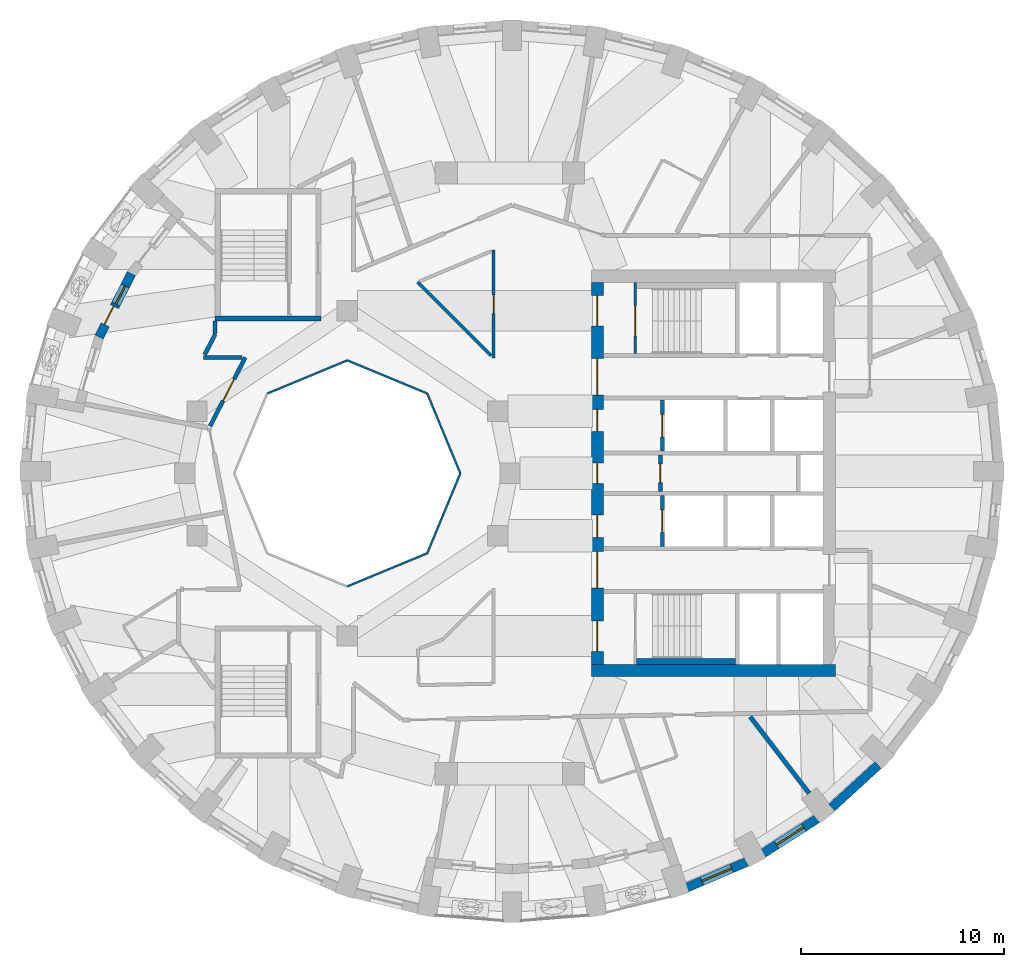
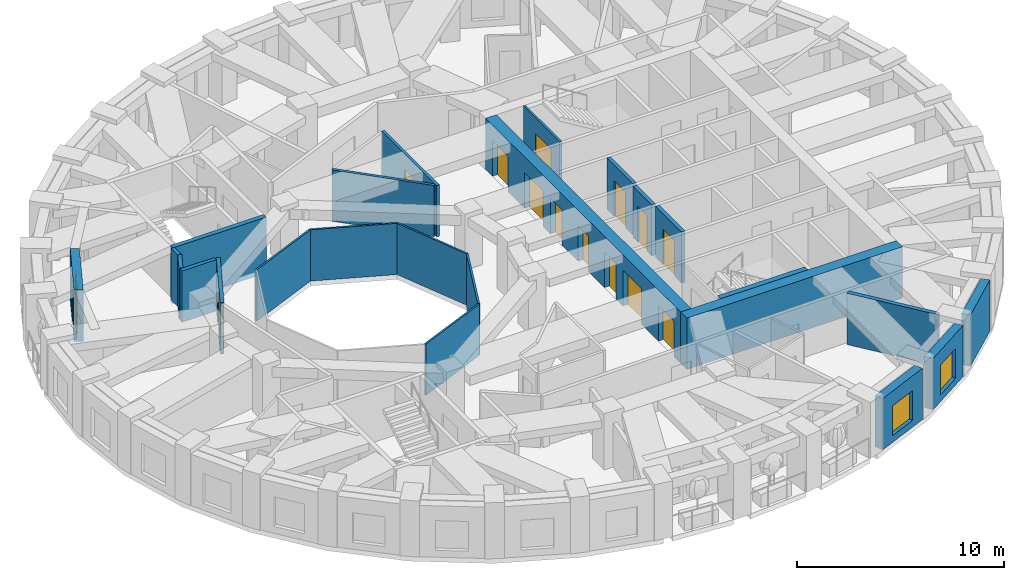
# One storey, part 5 of 11: 24 walls, 14 doors, 3 windows, 17 openings.
"""IFC4 building model written with IfcOpenShell, lengths in metres."""

from ifc_helpers import new_model, si_unit, direction, frame, frame_2d, origin, place, context, subcontext, project, spatial, rectangle, extrude, material, layer, layer_set, type_object, element, fill, save


model = new_model("IFC4")

# Units and contexts
model_context = context("Model", 3, precision=1e-05, world=origin(), true_north=direction((0.0, 1.0)))
body_context = subcontext(model_context, "Body", "Model", "MODEL_VIEW")
ifc_project = project(units=[si_unit("LENGTHUNIT", "METRE"), si_unit("AREAUNIT", "SQUARE_METRE"), si_unit("VOLUMEUNIT", "CUBIC_METRE"), si_unit("PLANEANGLEUNIT", "RADIAN"), si_unit("MASSUNIT", "GRAM", prefix="KILO")], contexts=[model_context])

# Site, building, storey
site_placement = place(None, origin())
site = spatial("IfcSite", under=ifc_project, at=site_placement, CompositionType="ELEMENT")
building_placement = place(site_placement, origin())
building = spatial("IfcBuilding", under=site, at=building_placement, Name="Taillehof Tower", CompositionType="ELEMENT")
storey_placement = place(building_placement, frame((0.0, 0.0, 161.60009765625)))
storey = spatial("IfcBuildingStorey", under=building, at=storey_placement, Name="L45", CompositionType="ELEMENT", Elevation=161.60009765625)

# Walls
ifc_material_1 = material(Name="Fire-resisting glass in steel frame", Category="steel")
ifc_layer_1 = layer(ifc_material_1, 0.10009765625)
ifc_layer_set_1 = layer_set([ifc_layer_1], Name="Atrium fire-resisting screen EI 60 100")
wall_type_1 = type_object("IfcWallType", Name="Atrium fire-resisting screen EI 60 100", PredefinedType="PARTITIONING", material=ifc_layer_set_1)
for number, where, z_axis, x_axis, name in (
    (1, (-2.44580078125, 0.0, 0.0), (0.0, 0.0, 1.0), (-0.382730523909, -0.923860025149, 0.0), "Atrium screen"),
    (2, (-4.07275390625, -3.92724609375, 0.0), (0.0, 0.0, 1.0), (-0.923860025149, -0.382730523909, 0.0), "Atrium screen"),
    (3, (-11.92724609375, 3.92724609375, 0.0), (0.0, 0.0, 1.0), (0.923860025149, 0.382730523909, 0.0), "Atrium screen"),
    (4, (-8.0, 5.55419921875, 0.0), (0.0, 0.0, 1.0), (0.923860025149, -0.382730523909, 0.0), "Atrium screen"),
    (5, (-4.07275390625, 3.92724609375, 0.0), (0.0, 0.0, 1.0), (0.382730523909, -0.923860025149, 0.0), "Atrium screen"),
):
    element("IfcWall", number, at=place(storey_placement, frame(where, z_axis=z_axis, x_axis=x_axis)), inside=storey, type_object=wall_type_1, Name=name, PredefinedType="PARTITIONING", context=body_context, shape_type="SweptSolid", body=[
        extrude(rectangle(XDim=4.2509765625, YDim=0.10009765625, at=frame_2d((2.12548828125, 0.0))), origin(), (0.0, 0.0, 1.0), 3.02001953125),
    ])

# Wall, opening, window
ifc_material_2 = material(Name="Brick masonry", Category="masonry")
ifc_layer_2 = layer(ifc_material_2, 0.449951171875)
ifc_layer_set_2 = layer_set([ifc_layer_2], Name="Brick infill wall 450")
wall_type_2 = type_object("IfcWallType", Name="Brick infill wall 450", PredefinedType="SOLIDWALL", material=ifc_layer_set_2)
wall_1_placement = place(storey_placement, frame((8.706298828125, -20.37451171875, 0.0), z_axis=(0.0, 0.0, 1.0), x_axis=(0.91981046949, 0.392362969986, 0.0)))
wall_1 = element("IfcWall", 6, at=wall_1_placement, inside=storey, type_object=wall_type_2, Name="Brick wall L45 bay 30", PredefinedType="SOLIDWALL", context=body_context, shape_type="SweptSolid", body=[
    extrude(rectangle(XDim=3.20068359375, YDim=0.449951171875, at=frame_2d((1.600341796875, 0.0))), origin(), (0.0, 0.0, 1.0), 3.02001953125),
])
opening_1_placement = place(wall_1_placement, frame((0.80029296875, 0.0, 0.39990234375)))
opening_1 = element("IfcOpeningElement", 7, at=opening_1_placement, cuts=wall_1, Name="Opening W3", PredefinedType="OPENING", context=body_context, shape_type="SweptSolid", body=[
    extrude(rectangle(XDim=1.60009765625, YDim=1.75, at=frame_2d((0.800048828125, 0.875))), frame((0.0, 0.23486328125, 0.0), z_axis=(0.0, -1.0, 0.0), x_axis=(1.0, 0.0, 0.0)), (0.0, 0.0, 1.0), 0.469970703125),
])
ifc_material_3 = material(Name="Aluminium window frame with clear double glazing", Category="aluminium")
window_type_1 = type_object("IfcWindowType", Name="Deep-set window 1600x1750", PartitioningType="SINGLE_PANEL", PredefinedType="WINDOW", material=ifc_material_3)
window_1_placement = place(opening_1_placement, origin())
window_1 = element("IfcWindow", 8, at=window_1_placement, inside=storey, type_object=window_type_1, Name="W3", OverallHeight=1.75, OverallWidth=1.60009765625, PartitioningType="SINGLE_PANEL", PredefinedType="WINDOW", context=body_context, shape_type="SweptSolid", body=[
    extrude(rectangle(XDim=1.60009765625, YDim=1.75, at=frame_2d((0.800048828125, 0.875))), frame((0.0, 0.034912109375, 0.0), z_axis=(0.0, -1.0, 0.0), x_axis=(1.0, 0.0, 0.0)), (0.0, 0.0, 1.0), 0.06005859375),
])
fill(opening_1, window_1)

wall_2_placement = place(storey_placement, frame((12.454833984375, -18.693115234375, 0.0), z_axis=(0.0, 0.0, 1.0), x_axis=(0.842065914439, 0.539374633943, 0.0)))
wall_2 = element("IfcWall", 9, at=wall_2_placement, inside=storey, type_object=wall_type_2, Name="Brick wall L45 bay 31", PredefinedType="SOLIDWALL", context=body_context, shape_type="SweptSolid", body=[
    extrude(rectangle(XDim=3.1513671875, YDim=0.449951171875, at=frame_2d((1.57568359375, 0.0))), origin(), (0.0, 0.0, 1.0), 3.02001953125),
])
opening_2_placement = place(wall_2_placement, frame((0.775634765625, 0.0, 0.39990234375)))
opening_2 = element("IfcOpeningElement", 10, at=opening_2_placement, cuts=wall_2, Name="Opening W3", PredefinedType="OPENING", context=body_context, shape_type="SweptSolid", body=[
    extrude(rectangle(XDim=1.60009765625, YDim=1.75, at=frame_2d((0.800048828125, 0.875))), frame((0.0, 0.23486328125, 0.0), z_axis=(0.0, -1.0, 0.0), x_axis=(1.0, 0.0, 0.0)), (0.0, 0.0, 1.0), 0.469970703125),
])
window_2_placement = place(opening_2_placement, origin())
window_2 = element("IfcWindow", 11, at=window_2_placement, inside=storey, type_object=window_type_1, Name="W3", OverallHeight=1.75, OverallWidth=1.60009765625, PartitioningType="SINGLE_PANEL", PredefinedType="WINDOW", context=body_context, shape_type="SweptSolid", body=[
    extrude(rectangle(XDim=1.60009765625, YDim=1.75, at=frame_2d((0.800048828125, 0.875))), frame((0.0, 0.034912109375, 0.0), z_axis=(0.0, -1.0, 0.0), x_axis=(1.0, 0.0, 0.0)), (0.0, 0.0, 1.0), 0.06005859375),
])
fill(opening_2, window_2)

# Wall
wall_3_placement = place(storey_placement, frame((15.830078125, -16.438720703125, 0.0), z_axis=(0.0, 0.0, 1.0), x_axis=(0.737808755941, 0.675009807082, 0.0)))
element("IfcWall", 12, at=wall_3_placement, inside=storey, type_object=wall_type_2, Name="Brick wall L45 bay 32", PredefinedType="SOLIDWALL", context=body_context, shape_type="SweptSolid", body=[
    extrude(rectangle(XDim=3.094482421875, YDim=0.449951171875, at=frame_2d((1.54736328125, 0.0))), origin(), (0.0, 0.0, 1.0), 3.02001953125),
])

# Wall, openings, door, window
wall_4_placement = place(storey_placement, frame((-18.6259765625, 9.819580078125, 0.0), z_axis=(0.0, 0.0, 1.0), x_axis=(-0.453241970186, -0.891387523169, 0.0)))
wall_4 = element("IfcWall", 13, at=wall_4_placement, inside=storey, type_object=wall_type_2, Name="Brick wall L45 pocket bay 16", PredefinedType="SOLIDWALL", context=body_context, shape_type="SweptSolid", body=[
    extrude(rectangle(XDim=3.4931640625, YDim=0.449951171875, at=frame_2d((1.74658203125, 0.0))), origin(), (0.0, 0.0, 1.0), 3.02001953125),
])
opening_3_placement = place(wall_4_placement, frame((0.671630859375, 0.0, 0.39990234375)))
opening_3 = element("IfcOpeningElement", 14, at=opening_3_placement, cuts=wall_4, Name="Opening W5", PredefinedType="OPENING", context=body_context, shape_type="SweptSolid", body=[
    extrude(rectangle(XDim=1.0, YDim=1.75, at=frame_2d((0.5, 0.875))), frame((0.0, 0.23486328125, 0.0), z_axis=(0.0, -1.0, 0.0), x_axis=(1.0, 0.0, 0.0)), (0.0, 0.0, 1.0), 0.469970703125),
])
opening_4_placement = place(wall_4_placement, frame((1.821533203125, 0.0, 0.0)))
opening_4 = element("IfcOpeningElement", 15, at=opening_4_placement, cuts=wall_4, Name="Opening D4595", PredefinedType="OPENING", context=body_context, shape_type="SweptSolid", body=[
    extrude(rectangle(XDim=1.0, YDim=2.14990234375, at=frame_2d((0.5, 1.074951171875))), frame((0.0, 0.23486328125, 0.0), z_axis=(0.0, -1.0, 0.0), x_axis=(1.0, 0.0, 0.0)), (0.0, 0.0, 1.0), 0.469970703125),
])
ifc_material_4 = material(Name="Aluminium door frame with clear double glazing", Category="aluminium")
door_type_1 = type_object("IfcDoorType", Name="Balcony door 1000x2150", OperationType="SINGLE_SWING_RIGHT", PredefinedType="DOOR", material=ifc_material_4)
door_1_placement = place(opening_4_placement, frame((1.0, 0.0, 0.0), z_axis=(0.0, 0.0, 1.0), x_axis=(-1.0, 0.0, 0.0)))
door_1 = element("IfcDoor", 16, at=door_1_placement, inside=storey, type_object=door_type_1, Name="Balcony door L45 bay 16", OperationType="SINGLE_SWING_LEFT", OverallHeight=2.14990234375, OverallWidth=1.0, PredefinedType="DOOR", context=body_context, shape_type="SweptSolid", body=[
    extrude(rectangle(XDim=1.0, YDim=2.14990234375, at=frame_2d((0.5, 1.074951171875))), frame((0.0, 0.0751953125, 0.0), z_axis=(0.0, -1.0, 0.0), x_axis=(1.0, 0.0, 0.0)), (0.0, 0.0, 1.0), 0.050048828125),
])
fill(opening_4, door_1)
ifc_material_5 = material(Name="Aluminium window frame with clear double glazing", Category="aluminium")
window_type_2 = type_object("IfcWindowType", Name="Fixed window 1000x1750", PartitioningType="SINGLE_PANEL", PredefinedType="WINDOW", material=ifc_material_5)
window_3_placement = place(opening_3_placement, origin())
window_3 = element("IfcWindow", 17, at=window_3_placement, inside=storey, type_object=window_type_2, Name="W5", OverallHeight=1.75, OverallWidth=1.0, PartitioningType="SINGLE_PANEL", PredefinedType="WINDOW", context=body_context, shape_type="SweptSolid", body=[
    extrude(rectangle(XDim=1.0, YDim=1.75, at=frame_2d((0.5, 0.875))), frame((0.0, 0.034912109375, 0.0), z_axis=(0.0, -1.0, 0.0), x_axis=(1.0, 0.0, 0.0)), (0.0, 0.0, 1.0), 0.06005859375),
])
fill(opening_3, window_3)

# Wall, opening, door
ifc_material_6 = material(Name="Calcium silicate masonry", Category="masonry")
ifc_layer_3 = layer(ifc_material_6, 0.199951171875)
ifc_layer_set_3 = layer_set([ifc_layer_3], Name="Compartment wall calcium silicate 200")
wall_type_3 = type_object("IfcWallType", Name="Compartment wall calcium silicate 200", PredefinedType="PARTITIONING", material=ifc_layer_set_3)
wall_5_placement = place(storey_placement, frame((7.39990234375, -0.89990234375, 0.0), z_axis=(0.0, 0.0, 1.0), x_axis=(0.0, 1.0, 0.0)))
wall_5 = element("IfcWall", 18, at=wall_5_placement, inside=storey, type_object=wall_type_3, Name="Compartment wall FW", PredefinedType="PARTITIONING", context=body_context, shape_type="SweptSolid", body=[
    extrude(rectangle(XDim=1.7998046875, YDim=0.199951171875, at=frame_2d((0.89990234375, 0.0))), origin(), (0.0, 0.0, 1.0), 3.02001953125),
])
opening_5_placement = place(wall_5_placement, frame((0.449951171875, 0.0, 0.0)))
opening_5 = element("IfcOpeningElement", 19, at=opening_5_placement, cuts=wall_5, Name="Opening D4514", PredefinedType="OPENING", context=body_context, shape_type="SweptSolid", body=[
    extrude(rectangle(XDim=0.89990234375, YDim=2.10009765625, at=frame_2d((0.449951171875, 1.050048828125))), frame((0.0, 0.10986328125, 0.0), z_axis=(0.0, -1.0, 0.0), x_axis=(1.0, 0.0, 0.0)), (0.0, 0.0, 1.0), 0.219970703125),
])
ifc_material_7 = material(Name="Steel-faced fire door", Category="steel")
door_type_2 = type_object("IfcDoorType", Name="Riser and service room door 900x2100", OperationType="SINGLE_SWING_LEFT", PredefinedType="DOOR", material=ifc_material_7)
door_2_placement = place(opening_5_placement, origin())
door_2 = element("IfcDoor", 20, at=door_2_placement, inside=storey, type_object=door_type_2, Name="Door Bms Room", OperationType="SINGLE_SWING_RIGHT", OverallHeight=2.10009765625, OverallWidth=0.89990234375, PredefinedType="DOOR", context=body_context, shape_type="SweptSolid", body=[
    extrude(rectangle(XDim=0.89990234375, YDim=2.10009765625, at=frame_2d((0.449951171875, 1.050048828125))), frame((0.0, 0.02490234375, 0.0), z_axis=(0.0, -1.0, 0.0), x_axis=(1.0, 0.0, 0.0)), (0.0, 0.0, 1.0), 0.050048828125),
])
fill(opening_5, door_2)

ifc_material_8 = material(Name="Gypsum board on steel studs, two layers each side", Category="steel")
ifc_layer_4 = layer(ifc_material_8, 0.199951171875)
ifc_layer_set_4 = layer_set([ifc_layer_4], Name="Compartment wall corridor 200")
wall_type_4 = type_object("IfcWallType", Name="Compartment wall corridor 200", PredefinedType="PARTITIONING", material=ifc_layer_set_4)
wall_6_placement = place(storey_placement, frame((-14.750732421875, 2.326416015625, 0.0), z_axis=(0.0, 0.0, 1.0), x_axis=(0.456461745611, 0.889743038632, 0.0)))
wall_6 = element("IfcWall", 21, at=wall_6_placement, inside=storey, type_object=wall_type_4, Name="Compartment wall", PredefinedType="PARTITIONING", context=body_context, shape_type="SweptSolid", body=[
    extrude(rectangle(XDim=3.79150390625, YDim=0.199951171875, at=frame_2d((1.895751953125, 0.0))), origin(), (0.0, 0.0, 1.0), 3.02001953125),
])
opening_6_placement = place(wall_6_placement, frame((1.40087890625, 0.0, 0.0)))
opening_6 = element("IfcOpeningElement", 22, at=opening_6_placement, cuts=wall_6, Name="Opening D4546", PredefinedType="OPENING", context=body_context, shape_type="SweptSolid", body=[
    extrude(rectangle(XDim=1.199951171875, YDim=2.10009765625, at=frame_2d((0.60009765625, 1.050048828125))), frame((0.0, 0.10986328125, 0.0), z_axis=(0.0, -1.0, 0.0), x_axis=(1.0, 0.0, 0.0)), (0.0, 0.0, 1.0), 0.219970703125),
])
ifc_material_9 = material(Name="Timber door leaf in steel frame", Category="steel")
door_type_3 = type_object("IfcDoorType", Name="Suite entrance door EI 30 1200 x 2100", OperationType="SINGLE_SWING_LEFT", PredefinedType="DOOR", material=ifc_material_9)
door_3_placement = place(opening_6_placement, origin())
door_3 = element("IfcDoor", 23, at=door_3_placement, inside=storey, type_object=door_type_3, Name="D4546", OperationType="SINGLE_SWING_RIGHT", OverallHeight=2.10009765625, OverallWidth=1.199951171875, PredefinedType="DOOR", context=body_context, shape_type="SweptSolid", body=[
    extrude(rectangle(XDim=1.199951171875, YDim=2.10009765625, at=frame_2d((0.60009765625, 1.050048828125))), frame((0.0, 0.02490234375, 0.0), z_axis=(0.0, -1.0, 0.0), x_axis=(1.0, 0.0, 0.0)), (0.0, 0.0, 1.0), 0.050048828125),
])
fill(opening_6, door_3)

# Walls
wall_7_placement = place(storey_placement, frame((-13.18017578125, 5.699951171875, 0.0), z_axis=(0.0, 0.0, 1.0), x_axis=(-1.0, 0.0, 0.0)))
element("IfcWall", 24, at=wall_7_placement, inside=storey, type_object=wall_type_4, Name="Compartment wall", PredefinedType="PARTITIONING", context=body_context, shape_type="SweptSolid", body=[
    extrude(rectangle(XDim=1.903076171875, YDim=0.199951171875, at=frame_2d((0.95166015625, 0.0))), origin(), (0.0, 0.0, 1.0), 3.02001953125),
])
wall_8_placement = place(storey_placement, frame((-15.010986328125, 5.842529296875, 0.0), z_axis=(0.0, 0.0, 1.0), x_axis=(0.453267091839, 0.891374749169, 0.0)))
element("IfcWall", 25, at=wall_8_placement, inside=storey, type_object=wall_type_4, Name="Compartment wall", PredefinedType="PARTITIONING", context=body_context, shape_type="SweptSolid", body=[
    extrude(rectangle(XDim=1.12744140625, YDim=0.199951171875, at=frame_2d((0.563720703125, 0.0))), origin(), (0.0, 0.0, 1.0), 3.02001953125),
])
wall_9_placement = place(storey_placement, frame((-14.5, 6.887451171875, 0.0), z_axis=(0.0, 0.0, 1.0), x_axis=(0.0, 1.0, 0.0)))
element("IfcWall", 26, at=wall_9_placement, inside=storey, type_object=wall_type_4, Name="Compartment wall", PredefinedType="PARTITIONING", context=body_context, shape_type="SweptSolid", body=[
    extrude(rectangle(XDim=0.608642578125, YDim=0.199951171875, at=frame_2d((0.30419921875, 0.0))), origin(), (0.0, 0.0, 1.0), 3.02001953125),
])
ifc_material_10 = material(Name="Gypsum board on double steel studs with mineral wool", Category="steel")
ifc_layer_5 = layer(ifc_material_10, 0.219970703125)
ifc_layer_set_5 = layer_set([ifc_layer_5], Name="Compartment wall guest room 220")
wall_type_5 = type_object("IfcWallType", Name="Compartment wall guest room 220", PredefinedType="PARTITIONING", material=ifc_layer_set_5)
wall_10_placement = place(storey_placement, frame((14.7158203125, -15.7373046875, 0.0), z_axis=(0.0, 0.0, 1.0), x_axis=(-0.609964163419, 0.79242899956, 0.0)))
element("IfcWall", 27, at=wall_10_placement, inside=storey, type_object=wall_type_5, Name="Compartment wall", PredefinedType="PARTITIONING", context=body_context, shape_type="SweptSolid", body=[
    extrude(rectangle(XDim=4.74853515625, YDim=0.219970703125, at=frame_2d((2.374267578125, 0.0))), origin(), (0.0, 0.0, 1.0), 3.02001953125),
])
ifc_material_11 = material(Name="Calcium silicate masonry", Category="masonry")
ifc_layer_6 = layer(ifc_material_11, 0.300048828125)
ifc_layer_set_6 = layer_set([ifc_layer_6], Name="Compartment wall lining calcium silicate 300")
wall_type_6 = type_object("IfcWallType", Name="Compartment wall lining calcium silicate 300", PredefinedType="PARTITIONING", material=ifc_layer_set_6)
wall_11_placement = place(storey_placement, frame((6.219970703125, -9.25, 0.0), z_axis=(0.0, 0.0, 1.0), x_axis=(1.0, 0.0, 0.0)))
element("IfcWall", 28, at=wall_11_placement, inside=storey, type_object=wall_type_6, Name="Compartment wall FW", PredefinedType="PARTITIONING", context=body_context, shape_type="SweptSolid", body=[
    extrude(rectangle(XDim=4.880126953125, YDim=0.300048828125, at=frame_2d((2.43994140625, 0.0))), origin(), (0.0, 0.0, 1.0), 3.02001953125),
])

# Wall, opening, door
ifc_material_12 = material(Name="Gypsum board on steel studs, two layers each side", Category="steel")
ifc_layer_7 = layer(ifc_material_12, 0.14990234375)
ifc_layer_set_7 = layer_set([ifc_layer_7], Name="Compartment wall service room 150")
wall_type_7 = type_object("IfcWallType", Name="Compartment wall service room 150", PredefinedType="PARTITIONING", material=ifc_layer_set_7)
wall_12_placement = place(storey_placement, frame((-0.800048828125, 10.977294921875, 0.0), z_axis=(0.0, 0.0, 1.0), x_axis=(0.0, -1.0, 0.0)))
wall_12 = element("IfcWall", 29, at=wall_12_placement, inside=storey, type_object=wall_type_7, Name="Compartment wall", PredefinedType="PARTITIONING", context=body_context, shape_type="SweptSolid", body=[
    extrude(rectangle(XDim=5.307861328125, YDim=0.14990234375, at=frame_2d((2.65380859375, 0.0))), origin(), (0.0, 0.0, 1.0), 3.02001953125),
])
opening_7_placement = place(wall_12_placement, frame((2.203857421875, 0.0, 0.0)))
opening_7 = element("IfcOpeningElement", 30, at=opening_7_placement, cuts=wall_12, Name="Opening D4559", PredefinedType="OPENING", context=body_context, shape_type="SweptSolid", body=[
    extrude(rectangle(XDim=0.89990234375, YDim=2.10009765625, at=frame_2d((0.449951171875, 1.050048828125))), frame((0.0, 0.0849609375, 0.0), z_axis=(0.0, -1.0, 0.0), x_axis=(1.0, 0.0, 0.0)), (0.0, 0.0, 1.0), 0.169921875),
])
ifc_material_13 = material(Name="Timber door leaf in steel frame", Category="steel")
door_type_4 = type_object("IfcDoorType", Name="Service room door EI 30 900 x 2100", OperationType="SINGLE_SWING_LEFT", PredefinedType="DOOR", material=ifc_material_13)
door_4_placement = place(opening_7_placement, origin())
door_4 = element("IfcDoor", 31, at=door_4_placement, inside=storey, type_object=door_type_4, Name="D4559", OperationType="SINGLE_SWING_LEFT", OverallHeight=2.10009765625, OverallWidth=0.89990234375, PredefinedType="DOOR", context=body_context, shape_type="SweptSolid", body=[
    extrude(rectangle(XDim=0.89990234375, YDim=2.10009765625, at=frame_2d((0.449951171875, 1.050048828125))), frame((0.0, 0.02490234375, 0.0), z_axis=(0.0, -1.0, 0.0), x_axis=(1.0, 0.0, 0.0)), (0.0, 0.0, 1.0), 0.050048828125),
])
fill(opening_7, door_4)

# Wall
wall_13_placement = place(storey_placement, frame((-0.927490234375, 5.796875, 0.0), z_axis=(0.0, 0.0, 1.0), x_axis=(-0.707106781187, 0.707106781187, 0.0)))
element("IfcWall", 32, at=wall_13_placement, inside=storey, type_object=wall_type_7, Name="Compartment wall", PredefinedType="PARTITIONING", context=body_context, shape_type="SweptSolid", body=[
    extrude(rectangle(XDim=5.10400390625, YDim=0.14990234375, at=frame_2d((2.552001953125, 0.0))), origin(), (0.0, 0.0, 1.0), 3.02001953125),
])

# Wall, openings, doors
ifc_material_14 = material(Name="Concrete C80/95", Category="concrete")
ifc_layer_8 = layer(ifc_material_14, 0.60009765625)
ifc_layer_set_8 = layer_set([ifc_layer_8], Name="Core wall C80/95 600")
wall_type_8 = type_object("IfcWallType", Name="Core wall C80/95 600", PredefinedType="SHEAR", material=ifc_layer_set_8)
wall_14_placement = place(storey_placement, frame((4.300048828125, -9.39990234375, 0.0), z_axis=(0.0, 0.0, 1.0), x_axis=(0.0, 1.0, 0.0)))
wall_14 = element("IfcWall", 33, at=wall_14_placement, inside=storey, type_object=wall_type_8, Name="Core wall CW01", PredefinedType="SHEAR", context=body_context, shape_type="SweptSolid", body=[
    extrude(rectangle(XDim=18.7998046875, YDim=0.60009765625, at=frame_2d((9.39990234375, 0.0))), origin(), (0.0, 0.0, 1.0), 3.02001953125),
])
opening_8_placement = place(wall_14_placement, frame((0.64990234375, 0.0, 0.0)))
opening_8 = element("IfcOpeningElement", 34, at=opening_8_placement, cuts=wall_14, Name="Opening D4501", PredefinedType="OPENING", context=body_context, shape_type="SweptSolid", body=[
    extrude(rectangle(XDim=1.5, YDim=2.10009765625, at=frame_2d((0.75, 1.050048828125))), frame((0.0, 0.31005859375, 0.0), z_axis=(0.0, -1.0, 0.0), x_axis=(1.0, 0.0, 0.0)), (0.0, 0.0, 1.0), 0.6201171875),
])
opening_9_placement = place(wall_14_placement, frame((3.75, 0.0, 0.0)))
opening_9 = element("IfcOpeningElement", 35, at=opening_9_placement, cuts=wall_14, Name="Opening D4502", PredefinedType="OPENING", context=body_context, shape_type="SweptSolid", body=[
    extrude(rectangle(XDim=1.800048828125, YDim=2.10009765625, at=frame_2d((0.89990234375, 1.050048828125))), frame((0.0, 0.31005859375, 0.0), z_axis=(0.0, -1.0, 0.0), x_axis=(1.0, 0.0, 0.0)), (0.0, 0.0, 1.0), 0.6201171875),
])
opening_10_placement = place(wall_14_placement, frame((6.25, 0.0, 0.0)))
opening_10 = element("IfcOpeningElement", 36, at=opening_10_placement, cuts=wall_14, Name="Opening D4503", PredefinedType="OPENING", context=body_context, shape_type="SweptSolid", body=[
    extrude(rectangle(XDim=1.10009765625, YDim=2.10009765625, at=frame_2d((0.550048828125, 1.050048828125))), frame((0.0, 0.31005859375, 0.0), z_axis=(0.0, -1.0, 0.0), x_axis=(1.0, 0.0, 0.0)), (0.0, 0.0, 1.0), 0.6201171875),
])
opening_11_placement = place(wall_14_placement, frame((8.89990234375, 0.0, 0.0)))
opening_11 = element("IfcOpeningElement", 37, at=opening_11_placement, cuts=wall_14, Name="Opening D4504", PredefinedType="OPENING", context=body_context, shape_type="SweptSolid", body=[
    extrude(rectangle(XDim=1.0, YDim=2.10009765625, at=frame_2d((0.5, 1.050048828125))), frame((0.0, 0.31005859375, 0.0), z_axis=(0.0, -1.0, 0.0), x_axis=(1.0, 0.0, 0.0)), (0.0, 0.0, 1.0), 0.6201171875),
])
opening_12_placement = place(wall_14_placement, frame((11.449951171875, 0.0, 0.0)))
opening_12 = element("IfcOpeningElement", 38, at=opening_12_placement, cuts=wall_14, Name="Opening D4505", PredefinedType="OPENING", context=body_context, shape_type="SweptSolid", body=[
    extrude(rectangle(XDim=1.10009765625, YDim=2.10009765625, at=frame_2d((0.550048828125, 1.050048828125))), frame((0.0, 0.31005859375, 0.0), z_axis=(0.0, -1.0, 0.0), x_axis=(1.0, 0.0, 0.0)), (0.0, 0.0, 1.0), 0.6201171875),
])
opening_13_placement = place(wall_14_placement, frame((13.25, 0.0, 0.0)))
opening_13 = element("IfcOpeningElement", 39, at=opening_13_placement, cuts=wall_14, Name="Opening D4506", PredefinedType="OPENING", context=body_context, shape_type="SweptSolid", body=[
    extrude(rectangle(XDim=1.800048828125, YDim=2.10009765625, at=frame_2d((0.89990234375, 1.050048828125))), frame((0.0, 0.31005859375, 0.0), z_axis=(0.0, -1.0, 0.0), x_axis=(1.0, 0.0, 0.0)), (0.0, 0.0, 1.0), 0.6201171875),
])
opening_14_placement = place(wall_14_placement, frame((16.64990234375, 0.0, 0.0)))
opening_14 = element("IfcOpeningElement", 40, at=opening_14_placement, cuts=wall_14, Name="Opening D4507", PredefinedType="OPENING", context=body_context, shape_type="SweptSolid", body=[
    extrude(rectangle(XDim=1.5, YDim=2.10009765625, at=frame_2d((0.75, 1.050048828125))), frame((0.0, 0.31005859375, 0.0), z_axis=(0.0, -1.0, 0.0), x_axis=(1.0, 0.0, 0.0)), (0.0, 0.0, 1.0), 0.6201171875),
])
ifc_material_15 = material(Name="Steel-faced fire door", Category="steel")
door_type_5 = type_object("IfcDoorType", Name="Firefighting lobby door 1100x2100", OperationType="SINGLE_SWING_RIGHT", PredefinedType="DOOR", material=ifc_material_15)
door_5_placement = place(opening_10_placement, origin())
door_5 = element("IfcDoor", 41, at=door_5_placement, inside=storey, type_object=door_type_5, Name="Firefighting lobby door FFL-S", OperationType="SINGLE_SWING_RIGHT", OverallHeight=2.10009765625, OverallWidth=1.10009765625, PredefinedType="DOOR", context=body_context, shape_type="SweptSolid", body=[
    extrude(rectangle(XDim=1.10009765625, YDim=2.10009765625, at=frame_2d((0.550048828125, 1.050048828125))), frame((0.0, 0.02490234375, 0.0), z_axis=(0.0, -1.0, 0.0), x_axis=(1.0, 0.0, 0.0)), (0.0, 0.0, 1.0), 0.050048828125),
])
fill(opening_10, door_5)
door_6_placement = place(opening_12_placement, origin())
door_6 = element("IfcDoor", 42, at=door_6_placement, inside=storey, type_object=door_type_5, Name="Firefighting lobby door FFL-N", OperationType="SINGLE_SWING_LEFT", OverallHeight=2.10009765625, OverallWidth=1.10009765625, PredefinedType="DOOR", context=body_context, shape_type="SweptSolid", body=[
    extrude(rectangle(XDim=1.10009765625, YDim=2.10009765625, at=frame_2d((0.550048828125, 1.050048828125))), frame((0.0, 0.02490234375, 0.0), z_axis=(0.0, -1.0, 0.0), x_axis=(1.0, 0.0, 0.0)), (0.0, 0.0, 1.0), 0.050048828125),
])
fill(opening_12, door_6)
ifc_material_16 = material(Name="Steel-faced fire door", Category="steel")
door_type_6 = type_object("IfcDoorType", Name="Lift lobby door 1800x2100", OperationType="DOUBLE_DOOR_SINGLE_SWING", PredefinedType="DOOR", material=ifc_material_16)
door_7_placement = place(opening_9_placement, origin())
door_7 = element("IfcDoor", 43, at=door_7_placement, inside=storey, type_object=door_type_6, Name="Lift lobby door LL-S", OperationType="DOUBLE_DOOR_SINGLE_SWING", OverallHeight=2.10009765625, OverallWidth=1.800048828125, PredefinedType="DOOR", context=body_context, shape_type="SweptSolid", body=[
    extrude(rectangle(XDim=1.800048828125, YDim=2.10009765625, at=frame_2d((0.89990234375, 1.050048828125))), frame((0.0, 0.02490234375, 0.0), z_axis=(0.0, -1.0, 0.0), x_axis=(1.0, 0.0, 0.0)), (0.0, 0.0, 1.0), 0.050048828125),
])
fill(opening_9, door_7)
door_8_placement = place(opening_13_placement, origin())
door_8 = element("IfcDoor", 44, at=door_8_placement, inside=storey, type_object=door_type_6, Name="Lift lobby door LL-N", OperationType="DOUBLE_DOOR_SINGLE_SWING", OverallHeight=2.10009765625, OverallWidth=1.800048828125, PredefinedType="DOOR", context=body_context, shape_type="SweptSolid", body=[
    extrude(rectangle(XDim=1.800048828125, YDim=2.10009765625, at=frame_2d((0.89990234375, 1.050048828125))), frame((0.0, 0.02490234375, 0.0), z_axis=(0.0, -1.0, 0.0), x_axis=(1.0, 0.0, 0.0)), (0.0, 0.0, 1.0), 0.050048828125),
])
fill(opening_13, door_8)
ifc_material_17 = material(Name="Steel-faced fire door", Category="steel")
door_type_7 = type_object("IfcDoorType", Name="Service door 1000x2100", OperationType="SINGLE_SWING_RIGHT", PredefinedType="DOOR", material=ifc_material_17)
door_9_placement = place(opening_11_placement, origin())
door_9 = element("IfcDoor", 45, at=door_9_placement, inside=storey, type_object=door_type_7, Name="Service door SV", OperationType="SINGLE_SWING_RIGHT", OverallHeight=2.10009765625, OverallWidth=1.0, PredefinedType="DOOR", context=body_context, shape_type="SweptSolid", body=[
    extrude(rectangle(XDim=1.0, YDim=2.10009765625, at=frame_2d((0.5, 1.050048828125))), frame((0.0, 0.02490234375, 0.0), z_axis=(0.0, -1.0, 0.0), x_axis=(1.0, 0.0, 0.0)), (0.0, 0.0, 1.0), 0.050048828125),
])
fill(opening_11, door_9)
ifc_material_18 = material(Name="Steel-faced fire door", Category="steel")
door_type_8 = type_object("IfcDoorType", Name="Stair door 1500x2100", OperationType="DOUBLE_DOOR_SINGLE_SWING", PredefinedType="DOOR", material=ifc_material_18)
door_10_placement = place(opening_8_placement, origin())
door_10 = element("IfcDoor", 46, at=door_10_placement, inside=storey, type_object=door_type_8, Name="Stair door S2", OperationType="DOUBLE_DOOR_SINGLE_SWING", OverallHeight=2.10009765625, OverallWidth=1.5, PredefinedType="DOOR", context=body_context, shape_type="SweptSolid", body=[
    extrude(rectangle(XDim=1.5, YDim=2.10009765625, at=frame_2d((0.75, 1.050048828125))), frame((0.0, 0.02490234375, 0.0), z_axis=(0.0, -1.0, 0.0), x_axis=(1.0, 0.0, 0.0)), (0.0, 0.0, 1.0), 0.050048828125),
])
fill(opening_8, door_10)
door_11_placement = place(opening_14_placement, origin())
door_11 = element("IfcDoor", 47, at=door_11_placement, inside=storey, type_object=door_type_8, Name="Stair door S1", OperationType="DOUBLE_DOOR_SINGLE_SWING", OverallHeight=2.10009765625, OverallWidth=1.5, PredefinedType="DOOR", context=body_context, shape_type="SweptSolid", body=[
    extrude(rectangle(XDim=1.5, YDim=2.10009765625, at=frame_2d((0.75, 1.050048828125))), frame((0.0, 0.02490234375, 0.0), z_axis=(0.0, -1.0, 0.0), x_axis=(1.0, 0.0, 0.0)), (0.0, 0.0, 1.0), 0.050048828125),
])
fill(opening_14, door_11)

# Wall
wall_15_placement = place(storey_placement, frame((4.0, -9.699951171875, 0.0), z_axis=(0.0, 0.0, 1.0), x_axis=(1.0, 0.0, 0.0)))
element("IfcWall", 48, at=wall_15_placement, inside=storey, type_object=wall_type_8, Name="Core wall CW07", PredefinedType="SHEAR", context=body_context, shape_type="SweptSolid", body=[
    extrude(rectangle(XDim=12.0, YDim=0.60009765625, at=frame_2d((6.0, 0.0))), origin(), (0.0, 0.0, 1.0), 3.02001953125),
])

# Wall, opening, door
ifc_material_19 = material(Name="Concrete C50/60", Category="concrete")
ifc_layer_9 = layer(ifc_material_19, 0.199951171875)
ifc_layer_set_9 = layer_set([ifc_layer_9], Name="Shaft wall C50/60 200")
wall_type_9 = type_object("IfcWallType", Name="Shaft wall C50/60 200", PredefinedType="SHEAR", material=ifc_layer_set_9)
wall_16_placement = place(storey_placement, frame((7.5, 1.10009765625, 0.0), z_axis=(0.0, 0.0, 1.0), x_axis=(0.0, 1.0, 0.0)))
wall_16 = element("IfcWall", 49, at=wall_16_placement, inside=storey, type_object=wall_type_9, Name="Shaft wall SW", PredefinedType="SHEAR", context=body_context, shape_type="SweptSolid", body=[
    extrude(rectangle(XDim=2.5, YDim=0.199951171875, at=frame_2d((1.25, 0.0))), origin(), (0.0, 0.0, 1.0), 3.02001953125),
])
opening_15_placement = place(wall_16_placement, frame((0.699951171875, 0.0, 0.0)))
opening_15 = element("IfcOpeningElement", 50, at=opening_15_placement, cuts=wall_16, Name="Opening LD1", PredefinedType="OPENING", context=body_context, shape_type="SweptSolid", body=[
    extrude(rectangle(XDim=1.10009765625, YDim=2.10009765625, at=frame_2d((0.550048828125, 1.050048828125))), frame((0.0, 0.10986328125, 0.0), z_axis=(0.0, -1.0, 0.0), x_axis=(1.0, 0.0, 0.0)), (0.0, 0.0, 1.0), 0.219970703125),
])
ifc_material_20 = material(Name="Stainless steel", Category="steel")
door_type_9 = type_object("IfcDoorType", Name="Lift landing door LD1 1100x2100", OperationType="DOUBLE_DOOR_SLIDING", PredefinedType="DOOR", material=ifc_material_20)
door_12_placement = place(opening_15_placement, origin())
door_12 = element("IfcDoor", 51, at=door_12_placement, inside=storey, type_object=door_type_9, Name="Landing door FF1", OperationType="DOUBLE_DOOR_SLIDING", OverallHeight=2.10009765625, OverallWidth=1.10009765625, PredefinedType="DOOR", context=body_context, shape_type="SweptSolid", body=[
    extrude(rectangle(XDim=1.10009765625, YDim=2.10009765625, at=frame_2d((0.550048828125, 1.050048828125))), frame((0.0, 0.02490234375, 0.0), z_axis=(0.0, -1.0, 0.0), x_axis=(1.0, 0.0, 0.0)), (0.0, 0.0, 1.0), 0.050048828125),
])
fill(opening_15, door_12)

wall_17_placement = place(storey_placement, frame((7.5, -3.60009765625, 0.0), z_axis=(0.0, 0.0, 1.0), x_axis=(0.0, 1.0, 0.0)))
wall_17 = element("IfcWall", 52, at=wall_17_placement, inside=storey, type_object=wall_type_9, Name="Shaft wall SW", PredefinedType="SHEAR", context=body_context, shape_type="SweptSolid", body=[
    extrude(rectangle(XDim=2.5, YDim=0.199951171875, at=frame_2d((1.25, 0.0))), origin(), (0.0, 0.0, 1.0), 3.02001953125),
])
opening_16_placement = place(wall_17_placement, frame((0.699951171875, 0.0, 0.0)))
opening_16 = element("IfcOpeningElement", 53, at=opening_16_placement, cuts=wall_17, Name="Opening LD1", PredefinedType="OPENING", context=body_context, shape_type="SweptSolid", body=[
    extrude(rectangle(XDim=1.10009765625, YDim=2.10009765625, at=frame_2d((0.550048828125, 1.050048828125))), frame((0.0, 0.10986328125, 0.0), z_axis=(0.0, -1.0, 0.0), x_axis=(1.0, 0.0, 0.0)), (0.0, 0.0, 1.0), 0.219970703125),
])
door_13_placement = place(opening_16_placement, origin())
door_13 = element("IfcDoor", 54, at=door_13_placement, inside=storey, type_object=door_type_9, Name="Landing door FF2", OperationType="DOUBLE_DOOR_SLIDING", OverallHeight=2.10009765625, OverallWidth=1.10009765625, PredefinedType="DOOR", context=body_context, shape_type="SweptSolid", body=[
    extrude(rectangle(XDim=1.10009765625, YDim=2.10009765625, at=frame_2d((0.550048828125, 1.050048828125))), frame((0.0, 0.02490234375, 0.0), z_axis=(0.0, -1.0, 0.0), x_axis=(1.0, 0.0, 0.0)), (0.0, 0.0, 1.0), 0.050048828125),
])
fill(opening_16, door_13)

ifc_material_21 = material(Name="Concrete C50/60", Category="concrete")
ifc_layer_10 = layer(ifc_material_21, 0.1201171875)
ifc_layer_set_10 = layer_set([ifc_layer_10], Name="Stair lobby wall C50/60 120")
wall_type_10 = type_object("IfcWallType", Name="Stair lobby wall C50/60 120", PredefinedType="SHEAR", material=ifc_layer_set_10)
wall_18_placement = place(storey_placement, frame((6.159912109375, 5.89990234375, 0.0), z_axis=(0.0, 0.0, 1.0), x_axis=(0.0, 1.0, 0.0)))
wall_18 = element("IfcWall", 55, at=wall_18_placement, inside=storey, type_object=wall_type_10, Name="Compartment wall SW", PredefinedType="SHEAR", context=body_context, shape_type="SweptSolid", body=[
    extrude(rectangle(XDim=3.5, YDim=0.1201171875, at=frame_2d((1.75, 0.0))), origin(), (0.0, 0.0, 1.0), 3.02001953125),
])
opening_17_placement = place(wall_18_placement, frame((0.85009765625, 0.0, 0.0)))
opening_17 = element("IfcOpeningElement", 56, at=opening_17_placement, cuts=wall_18, Name="Opening D4510", PredefinedType="OPENING", context=body_context, shape_type="SweptSolid", body=[
    extrude(rectangle(XDim=1.5, YDim=2.10009765625, at=frame_2d((0.75, 1.050048828125))), frame((0.0, 0.070068359375, 0.0), z_axis=(0.0, -1.0, 0.0), x_axis=(1.0, 0.0, 0.0)), (0.0, 0.0, 1.0), 0.14013671875),
])
door_14_placement = place(opening_17_placement, origin())
door_14 = element("IfcDoor", 57, at=door_14_placement, inside=storey, type_object=door_type_8, Name="Stair lobby door S1", OperationType="DOUBLE_DOOR_SINGLE_SWING", OverallHeight=2.10009765625, OverallWidth=1.5, PredefinedType="DOOR", context=body_context, shape_type="SweptSolid", body=[
    extrude(rectangle(XDim=1.5, YDim=2.10009765625, at=frame_2d((0.75, 1.050048828125))), frame((0.0, 0.02490234375, 0.0), z_axis=(0.0, -1.0, 0.0), x_axis=(1.0, 0.0, 0.0)), (0.0, 0.0, 1.0), 0.050048828125),
])
fill(opening_17, door_14)

# Wall
ifc_material_22 = material(Name="Concrete C50/60", Category="concrete")
ifc_layer_11 = layer(ifc_material_22, 0.25)
ifc_layer_set_11 = layer_set([ifc_layer_11], Name="Stair wall C50/60 250")
wall_type_11 = type_object("IfcWallType", Name="Stair wall C50/60 250", PredefinedType="SHEAR", material=ifc_layer_set_11)
wall_19_placement = place(storey_placement, frame((-14.5, 7.625, -0.280029296875), z_axis=(0.0, 0.0, 1.0), x_axis=(1.0, 0.0, 0.0)))
element("IfcWall", 58, at=wall_19_placement, inside=storey, type_object=wall_type_11, Name="Stair wall SC", PredefinedType="SHEAR", context=body_context, shape_type="SweptSolid", body=[
    extrude(rectangle(XDim=5.199951171875, YDim=0.25, at=frame_2d((2.60009765625, 0.0))), origin(), (0.0, 0.0, 1.0), 3.300048828125),
])

save(model, "model.ifc")
